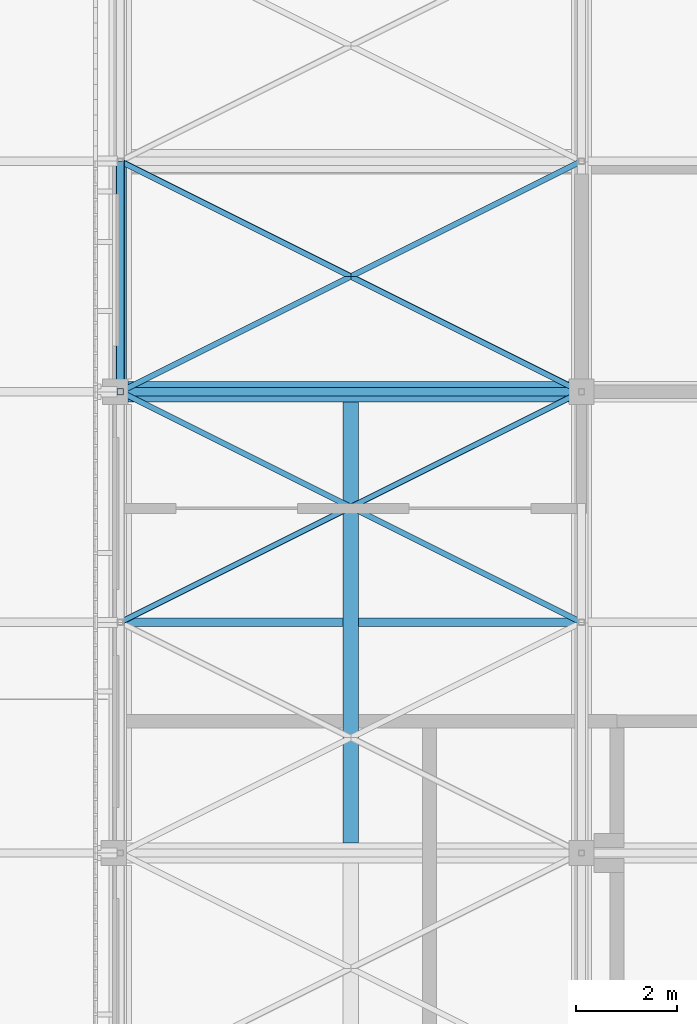
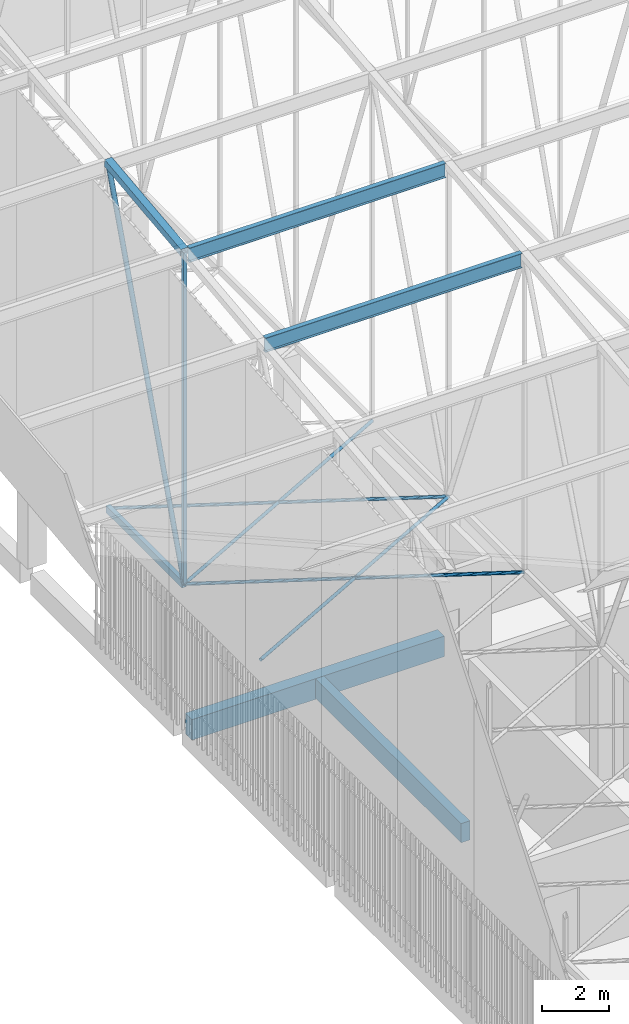
# One storey, part 52 of 500: 10 members, 2 beams.
"""IFC4 building model written with IfcOpenShell, lengths in metres."""

from ifc_helpers import new_model, si_unit, direction, frame, origin, origin_2d, place, context, subcontext, project, spatial, rectangle, hollow_rectangle, hollow_circle, i_section, extrude, material, material_profile, profile_set, type_object, element, save


model = new_model("IFC4")

# Units and contexts
model_context = context("Model", 3, precision=1e-05, world=origin(), true_north=direction((0.0, 1.0)))
body_context = subcontext(model_context, "Body", "Model", "MODEL_VIEW")
ifc_project = project(units=[si_unit("LENGTHUNIT", "METRE"), si_unit("AREAUNIT", "SQUARE_METRE"), si_unit("VOLUMEUNIT", "CUBIC_METRE"), si_unit("PLANEANGLEUNIT", "RADIAN"), si_unit("MASSUNIT", "GRAM", prefix="KILO")], contexts=[model_context])

# Site, building, storey
site_placement = place(None, origin())
site = spatial("IfcSite", under=ifc_project, at=site_placement, CompositionType="ELEMENT")
building_placement = place(site_placement, origin())
building = spatial("IfcBuilding", under=site, at=building_placement, Name="Shirokan Park Arena", CompositionType="ELEMENT")
storey_placement = place(building_placement, frame((0.0, 0.0, 29.1201171875)))
storey = spatial("IfcBuildingStorey", under=building, at=storey_placement, Name="L06", CompositionType="ELEMENT", Elevation=29.1201171875)

# Members
ifc_material_1 = material(Name="Steel ASTM A500 Grade C", Category="steel")
ifc_material_profile_1 = material_profile(ifc_material_1, hollow_rectangle(XDim=0.152099609375, YDim=0.25390625, WallThickness=0.009521484375, at=origin_2d()), Name="HSS254X152.4X9.5")
ifc_profile_set_1 = profile_set([ifc_material_profile_1], Name="Steel ASTM A500 Grade C")
member_type_1 = type_object("IfcMemberType", Name="Bottom chord HSS254X152.4X9.5", PredefinedType="CHORD", material=ifc_profile_set_1)
member_1_placement = place(storey_placement, frame((0.0, 36.39990234375, 4.677001953125), z_axis=(0.0, 1.0, 0.0), x_axis=(-1.0, 0.0, 0.0)))
element("IfcMember", 1, at=member_1_placement, inside=storey, type_object=member_type_1, Name="Truss T01 bottom chord 11", PredefinedType="CHORD", context=body_context, shape_type="SweptSolid", body=[
    extrude(hollow_rectangle(XDim=0.152099609375, YDim=0.25390625, WallThickness=0.009521484375, at=origin_2d()), origin(), (0.0, 0.0, 1.0), 4.550048828125),
])
ifc_material_profile_2 = material_profile(ifc_material_1, hollow_circle(Radius=0.056884765625, WallThickness=0.006103515625, at=origin_2d()), Name="HSS114.3X6")
ifc_profile_set_2 = profile_set([ifc_material_profile_2], Name="Steel ASTM A500 Grade C")
member_type_2 = type_object("IfcMemberType", Name="Plan bracing HSS114.3X6", PredefinedType="BRACE", material=ifc_profile_set_2)
for number, where, z_axis, x_axis, name in (
    (2, (0.0, 31.85009765625, 4.677001953125), (0.8944367893, 0.447194398385, 0.0), (-0.447194398385, 0.8944367893, 0.0), "Plan bracing bay 1 panel 10 A"),
    (3, (9.10009765625, 31.85009765625, 4.677001953125), (-0.8944367893, 0.447194398385, 0.0), (-0.447194398385, -0.8944367893, 0.0), "Plan bracing bay 1 panel 10 B"),
):
    element("IfcMember", number, at=place(storey_placement, frame(where, z_axis=z_axis, x_axis=x_axis)), inside=storey, type_object=member_type_2, Name=name, PredefinedType="BRACE", context=body_context, shape_type="SweptSolid", body=[
        extrude(hollow_circle(Radius=0.056884765625, WallThickness=0.006103515625, at=origin_2d()), origin(), (0.0, 0.0, 1.0), 10.174072265625),
    ])
for number, where, z_axis, x_axis, name in (
    (4, (0.0, 36.39990234375, 4.677001953125), (0.894427191, 0.4472135955, 0.0), (-0.4472135955, 0.894427191, 0.0), "Plan bracing bay 1 panel 11 A"),
    (5, (9.10009765625, 36.39990234375, 4.677001953125), (-0.894427191, 0.4472135955, 0.0), (-0.4472135955, -0.894427191, 0.0), "Plan bracing bay 1 panel 11 B"),
):
    element("IfcMember", number, at=place(storey_placement, frame(where, z_axis=z_axis, x_axis=x_axis)), inside=storey, type_object=member_type_2, Name=name, PredefinedType="BRACE", context=body_context, shape_type="SweptSolid", body=[
        extrude(hollow_circle(Radius=0.056884765625, WallThickness=0.006103515625, at=origin_2d()), origin(), (0.0, 0.0, 1.0), 10.17431640625),
    ])
ifc_material_2 = material(Name="Steel ASTM A992", Category="steel")
ifc_material_profile_3 = material_profile(ifc_material_2, i_section(OverallWidth=0.166015625, OverallDepth=0.528076171875, WebThickness=0.009765625, FlangeThickness=0.013671875, at=origin_2d()), Name="W530X74")
ifc_profile_set_3 = profile_set([ifc_material_profile_3], Name="Steel ASTM A992")
member_type_3 = type_object("IfcMemberType", Name="Purlin W530X74", PredefinedType="PURLIN", material=ifc_profile_set_3)
for number, where, z_axis, x_axis, name in (
    (6, (0.126953125, 31.85009765625, 16.1259765625), (1.0, 0.0, 0.0), (0.0, 1.0, 0.0), "Purlin 10 bay 1"),
    (7, (0.126953125, 36.39990234375, 16.64599609375), (1.0, 0.0, 0.0), (0.0, 1.0, 0.0), "Purlin 11 bay 1"),
):
    element("IfcMember", number, at=place(storey_placement, frame(where, z_axis=z_axis, x_axis=x_axis)), inside=storey, type_object=member_type_3, Name=name, PredefinedType="PURLIN", context=body_context, shape_type="SweptSolid", body=[
        extrude(i_section(OverallWidth=0.166015625, OverallDepth=0.528076171875, WebThickness=0.009765625, FlangeThickness=0.013671875, at=origin_2d()), origin(), (0.0, 0.0, 1.0), 8.845947265625),
    ])

# Beams
ifc_material_3 = material(Name="Concrete C35", Category="concrete")
ifc_material_profile_4 = material_profile(ifc_material_3, rectangle(XDim=0.39990234375, YDim=0.75, at=origin_2d()), Name="400x750")
ifc_profile_set_4 = profile_set([ifc_material_profile_4], Name="Concrete C35")
beam_type_1 = type_object("IfcBeamType", Name="RC girder 400x750", PredefinedType="BEAM", material=ifc_profile_set_4)
beam_1_placement = place(storey_placement, frame((0.150146484375, 36.39990234375, -0.5751953125), z_axis=(1.0, 0.0, 0.0), x_axis=(0.0, 1.0, 0.0)))
element("IfcBeam", 8, at=beam_1_placement, inside=storey, type_object=beam_type_1, Name="Girder 1E-2E L06", PredefinedType="BEAM", context=body_context, shape_type="SweptSolid", body=[
    extrude(rectangle(XDim=0.39990234375, YDim=0.75, at=origin_2d()), origin(), (0.0, 0.0, 1.0), 8.69970703125),
])
ifc_material_profile_5 = material_profile(ifc_material_3, rectangle(XDim=0.300048828125, YDim=0.699951171875, at=origin_2d()), Name="300x700")
ifc_profile_set_5 = profile_set([ifc_material_profile_5], Name="Concrete C35")
beam_type_2 = type_object("IfcBeamType", Name="RC joist 300x700", PredefinedType="JOIST", material=ifc_profile_set_5)
beam_2_placement = place(storey_placement, frame((4.550048828125, 27.5, -0.550048828125), z_axis=(0.0, 1.0, 0.0), x_axis=(-1.0, 0.0, 0.0)))
element("IfcBeam", 9, at=beam_2_placement, inside=storey, type_object=beam_type_2, Name="Joist 1D L06", PredefinedType="JOIST", context=body_context, shape_type="SweptSolid", body=[
    extrude(rectangle(XDim=0.300048828125, YDim=0.699951171875, at=origin_2d()), origin(), (0.0, 0.0, 1.0), 8.699951171875),
])

# Members
ifc_material_profile_6 = material_profile(ifc_material_1, hollow_rectangle(XDim=0.25390625, YDim=0.25390625, WallThickness=0.009521484375, at=origin_2d()), Name="HSS254X254X9.5")
ifc_profile_set_6 = profile_set([ifc_material_profile_6], Name="Steel ASTM A500 Grade C")
member_type_4 = type_object("IfcMemberType", Name="Top chord HSS254X254X9.5", PredefinedType="CHORD", material=ifc_profile_set_6)
member_2_placement = place(storey_placement, frame((0.0, 36.39990234375, 16.782958984375), z_axis=(0.0, 0.993532328996, 0.113549598152), x_axis=(-1.0, 0.0, 0.0)))
element("IfcMember", 10, at=member_2_placement, inside=storey, type_object=member_type_4, Name="Truss T01 top chord 11", PredefinedType="CHORD", context=body_context, shape_type="SweptSolid", body=[
    extrude(hollow_rectangle(XDim=0.25390625, YDim=0.25390625, WallThickness=0.009521484375, at=origin_2d()), origin(), (0.0, 0.0, 1.0), 4.57958984375),
])
ifc_material_profile_7 = material_profile(ifc_material_1, hollow_circle(Radius=0.083984375, WallThickness=0.009521484375, at=origin_2d()), Name="HSS168.3X9.5")
ifc_profile_set_7 = profile_set([ifc_material_profile_7], Name="Steel ASTM A500 Grade C")
member_type_5 = type_object("IfcMemberType", Name="Truss diagonal HSS168.3X9.5", PredefinedType="BRACE", material=ifc_profile_set_7)
member_3_placement = place(storey_placement, frame((0.0, 36.39990234375, 4.677001953125), z_axis=(0.0, 0.339029292845, 0.940775817394), x_axis=(-1.0, 0.0, 0.0)))
element("IfcMember", 11, at=member_3_placement, inside=storey, type_object=member_type_5, Name="Truss T01 diagonal 11", PredefinedType="BRACE", context=body_context, shape_type="SweptSolid", body=[
    extrude(hollow_circle(Radius=0.083984375, WallThickness=0.009521484375, at=origin_2d()), origin(), (0.0, 0.0, 1.0), 13.4208984375),
])
ifc_material_profile_8 = material_profile(ifc_material_1, hollow_rectangle(XDim=0.126953125, YDim=0.126953125, WallThickness=0.0126953125, at=origin_2d()), Name="HSS127X127X12.7")
ifc_profile_set_8 = profile_set([ifc_material_profile_8], Name="Steel ASTM A500 Grade C")
member_type_6 = type_object("IfcMemberType", Name="Truss post HSS127X127X12.7", PredefinedType="POST", material=ifc_profile_set_8)
member_4_placement = place(storey_placement, frame((0.0, 36.39990234375, 4.677001953125), z_axis=(0.0, 0.0, 1.0), x_axis=(1.0, 0.0, 0.0)))
element("IfcMember", 12, at=member_4_placement, inside=storey, type_object=member_type_6, Name="Truss T01 post 11", PredefinedType="POST", context=body_context, shape_type="SweptSolid", body=[
    extrude(hollow_rectangle(XDim=0.126953125, YDim=0.126953125, WallThickness=0.0126953125, at=origin_2d()), origin(), (0.0, 0.0, 1.0), 12.10595703125),
])

save(model, "model.ifc")
